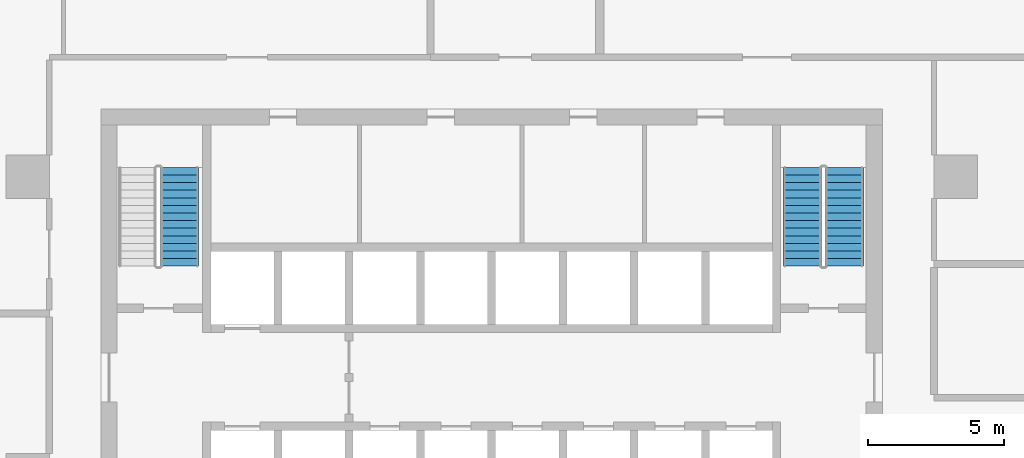
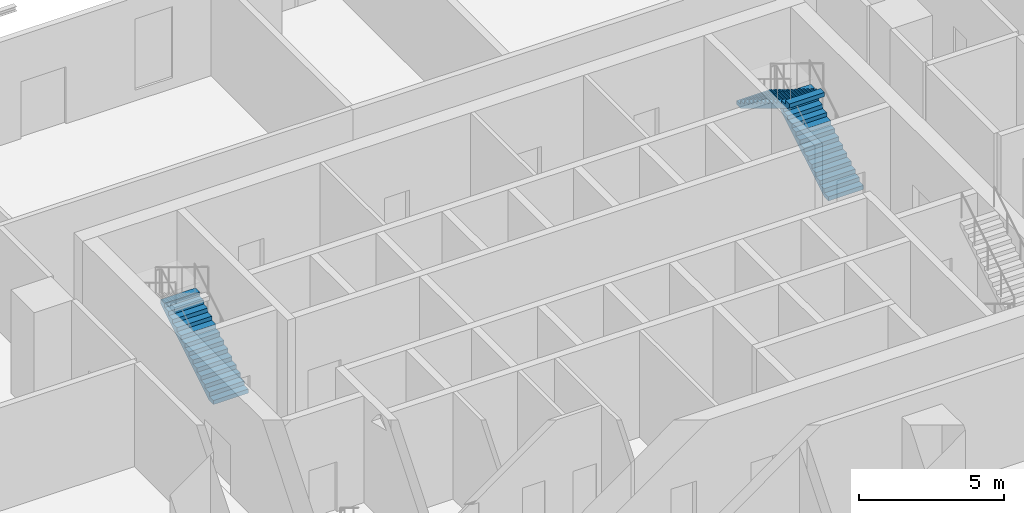
# One storey, part 11 of 15: 3 stair flights, 2 elements without a shape of their own.
"""IFC4 building model written with IfcOpenShell, lengths in metres."""

from ifc_helpers import new_model, si_unit, direction, frame, origin, place, context, subcontext, project, spatial, polyline, outline, extrude, material, type_object, element, aggregate, save


model = new_model("IFC4")

# Units and contexts
model_context = context("Model", 3, precision=1e-05, world=origin(), true_north=direction((0.0, 1.0)))
body_context = subcontext(model_context, "Body", "Model", "MODEL_VIEW")
ifc_project = project(units=[si_unit("LENGTHUNIT", "METRE"), si_unit("AREAUNIT", "SQUARE_METRE"), si_unit("VOLUMEUNIT", "CUBIC_METRE"), si_unit("PLANEANGLEUNIT", "RADIAN"), si_unit("MASSUNIT", "GRAM", prefix="KILO")], contexts=[model_context])

# Site, building, storey
site_placement = place(None, origin())
site = spatial("IfcSite", under=ifc_project, at=site_placement, CompositionType="ELEMENT")
building_placement = place(site_placement, origin())
building = spatial("IfcBuilding", under=site, at=building_placement, Name="Mopane Tessera Tower", CompositionType="ELEMENT")
storey_placement = place(building_placement, frame((0.0, 0.0, 79.0)))
storey = spatial("IfcBuildingStorey", under=building, at=storey_placement, Name="L15", CompositionType="ELEMENT", Elevation=79.0)

# Stair, stair flight
ifc_material_1 = material(Name="Concrete C50/60", Category="concrete")
stair_type = type_object("IfcStairType", Name="Escape stair 1400 mm, riser 171 mm", PredefinedType="HALF_TURN_STAIR", material=ifc_material_1)
stair_1_placement = place(storey_placement, origin())
stair_1 = element("IfcStair", 1, at=stair_1_placement, inside=storey, type_object=stair_type, Name="L15 Escape stair north-west", PredefinedType="HALF_TURN_STAIR")
ifc_material_2 = material(Name="Concrete C50/60", Category="concrete")
stair_flight_type = type_object("IfcStairFlightType", Name="Escape stair flight 1400 mm", PredefinedType="STRAIGHT", material=ifc_material_2)
stair_flight_1_placement = place(storey_placement, frame((-11.5, 7.699951171875, 0.0), z_axis=(0.0, 0.0, 1.0), x_axis=(0.0, 1.0, 0.0)))
stair_flight_1 = element("IfcStairFlight", 2, at=stair_flight_1_placement, type_object=stair_flight_type, Name="ST2 flight 1", NumberOfRisers=14, NumberOfTreads=13, PredefinedType="STRAIGHT", RiserHeight=0.171428571, TreadLength=0.28, context=body_context, shape_type="SweptSolid", body=[
    extrude(outline(polyline([(0.0, 0.0), (0.0, 0.17138671875), (0.280029296875, 0.17138671875), (0.280029296875, 0.3427734375), (0.56005859375, 0.3427734375), (0.56005859375, 0.514404296875), (0.840087890625, 0.514404296875), (0.840087890625, 0.685791015625), (1.1201171875, 0.685791015625), (1.1201171875, 0.857177734375), (1.39990234375, 0.857177734375), (1.39990234375, 1.028564453125), (1.679931640625, 1.028564453125), (1.679931640625, 1.199951171875), (1.9599609375, 1.199951171875), (1.9599609375, 1.371337890625), (2.239990234375, 1.371337890625), (2.239990234375, 1.54296875), (2.52001953125, 1.54296875), (2.52001953125, 1.71435546875), (2.800048828125, 1.71435546875), (2.800048828125, 1.8857421875), (3.080078125, 1.8857421875), (3.080078125, 2.05712890625), (3.360107421875, 2.05712890625), (3.360107421875, 2.228515625), (3.639892578125, 2.228515625), (3.639892578125, 2.39990234375), (3.639892578125, 2.052734375), (0.287109375, 0.0), (0.0, 0.0)])), frame((0.0, 0.699951171875, 0.0), z_axis=(0.0, -1.0, 0.0), x_axis=(1.0, 0.0, 0.0)), (0.0, 0.0, 1.0), 1.39990234375),
])
aggregate(stair_1, [stair_flight_1])

# Stair, stair flights
stair_2_placement = place(storey_placement, origin())
stair_2 = element("IfcStair", 3, at=stair_2_placement, inside=storey, type_object=stair_type, Name="L15 Escape stair north-east", PredefinedType="HALF_TURN_STAIR")
stair_flight_2_placement = place(storey_placement, frame((13.0, 7.699951171875, 0.0), z_axis=(0.0, 0.0, 1.0), x_axis=(0.0, 1.0, 0.0)))
stair_flight_2 = element("IfcStairFlight", 4, at=stair_flight_2_placement, type_object=stair_flight_type, Name="ST4 flight 1", NumberOfRisers=14, NumberOfTreads=13, PredefinedType="STRAIGHT", RiserHeight=0.171428571, TreadLength=0.28, context=body_context, shape_type="SweptSolid", body=[
    extrude(outline(polyline([(0.0, 0.0), (0.0, 0.17138671875), (0.280029296875, 0.17138671875), (0.280029296875, 0.3427734375), (0.56005859375, 0.3427734375), (0.56005859375, 0.514404296875), (0.840087890625, 0.514404296875), (0.840087890625, 0.685791015625), (1.1201171875, 0.685791015625), (1.1201171875, 0.857177734375), (1.39990234375, 0.857177734375), (1.39990234375, 1.028564453125), (1.679931640625, 1.028564453125), (1.679931640625, 1.199951171875), (1.9599609375, 1.199951171875), (1.9599609375, 1.371337890625), (2.239990234375, 1.371337890625), (2.239990234375, 1.54296875), (2.52001953125, 1.54296875), (2.52001953125, 1.71435546875), (2.800048828125, 1.71435546875), (2.800048828125, 1.8857421875), (3.080078125, 1.8857421875), (3.080078125, 2.05712890625), (3.360107421875, 2.05712890625), (3.360107421875, 2.228515625), (3.639892578125, 2.228515625), (3.639892578125, 2.39990234375), (3.639892578125, 2.052734375), (0.287109375, 0.0), (0.0, 0.0)])), frame((0.0, 0.699951171875, 0.0), z_axis=(0.0, -1.0, 0.0), x_axis=(1.0, 0.0, 0.0)), (0.0, 0.0, 1.0), 1.39990234375),
])
stair_flight_3_placement = place(storey_placement, frame((11.449951171875, 11.340087890625, 2.39990234375), z_axis=(0.0, 0.0, 1.0), x_axis=(0.0, -1.0, 0.0)))
stair_flight_3 = element("IfcStairFlight", 5, at=stair_flight_3_placement, type_object=stair_flight_type, Name="ST4 flight 2", NumberOfRisers=14, NumberOfTreads=13, PredefinedType="STRAIGHT", RiserHeight=0.171428571, TreadLength=0.28, context=body_context, shape_type="SweptSolid", body=[
    extrude(outline(polyline([(0.0, 0.0), (0.0, 0.17138671875), (0.280029296875, 0.17138671875), (0.280029296875, 0.3427734375), (0.56005859375, 0.3427734375), (0.56005859375, 0.514404296875), (0.840087890625, 0.514404296875), (0.840087890625, 0.685791015625), (1.1201171875, 0.685791015625), (1.1201171875, 0.857177734375), (1.39990234375, 0.857177734375), (1.39990234375, 1.028564453125), (1.679931640625, 1.028564453125), (1.679931640625, 1.199951171875), (1.9599609375, 1.199951171875), (1.9599609375, 1.371337890625), (2.239990234375, 1.371337890625), (2.239990234375, 1.54296875), (2.52001953125, 1.54296875), (2.52001953125, 1.71435546875), (2.800048828125, 1.71435546875), (2.800048828125, 1.8857421875), (3.080078125, 1.8857421875), (3.080078125, 2.05712890625), (3.360107421875, 2.05712890625), (3.360107421875, 2.228515625), (3.639892578125, 2.228515625), (3.639892578125, 2.39990234375), (3.639892578125, 2.052734375), (0.287109375, 0.0), (0.0, 0.0)])), frame((0.0, 0.699951171875, 0.0), z_axis=(0.0, -1.0, 0.0), x_axis=(1.0, 0.0, 0.0)), (0.0, 0.0, 1.0), 1.39990234375),
])
aggregate(stair_2, [stair_flight_2, stair_flight_3])

save(model, "model.ifc")
